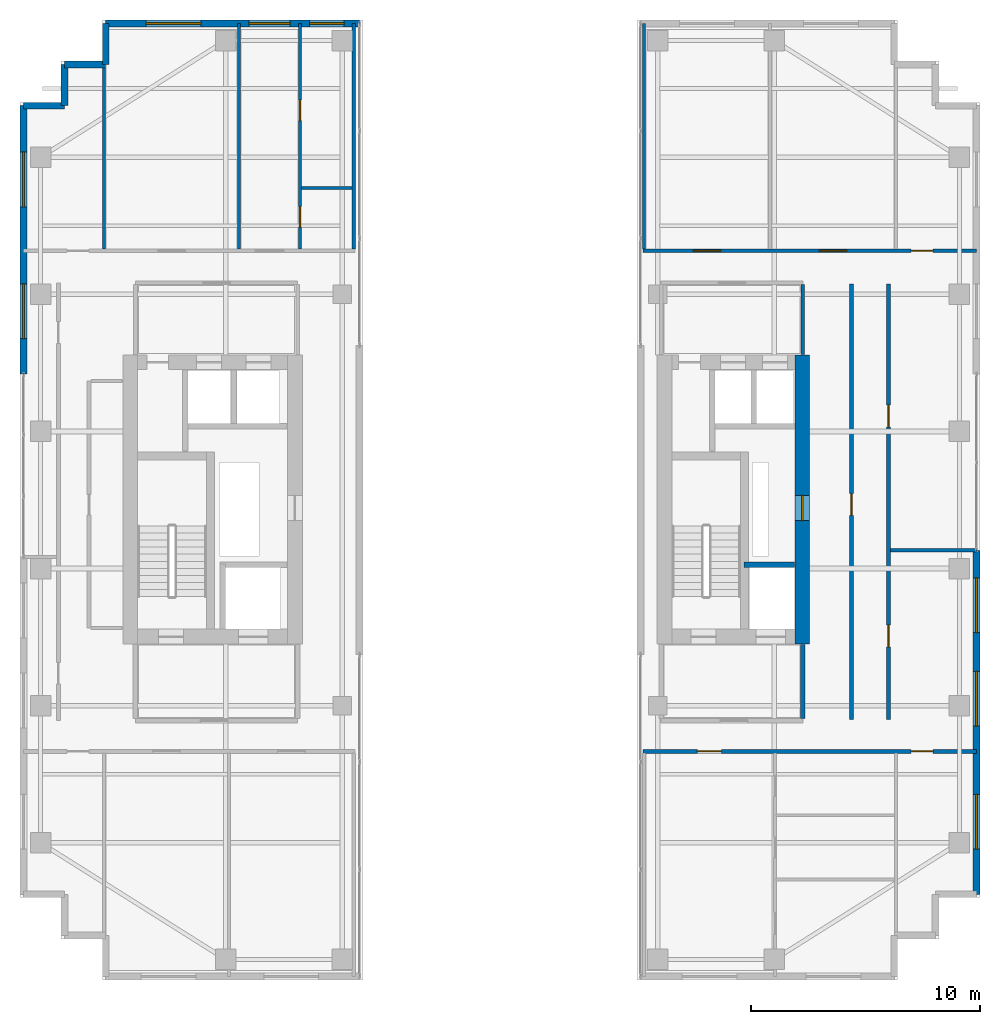
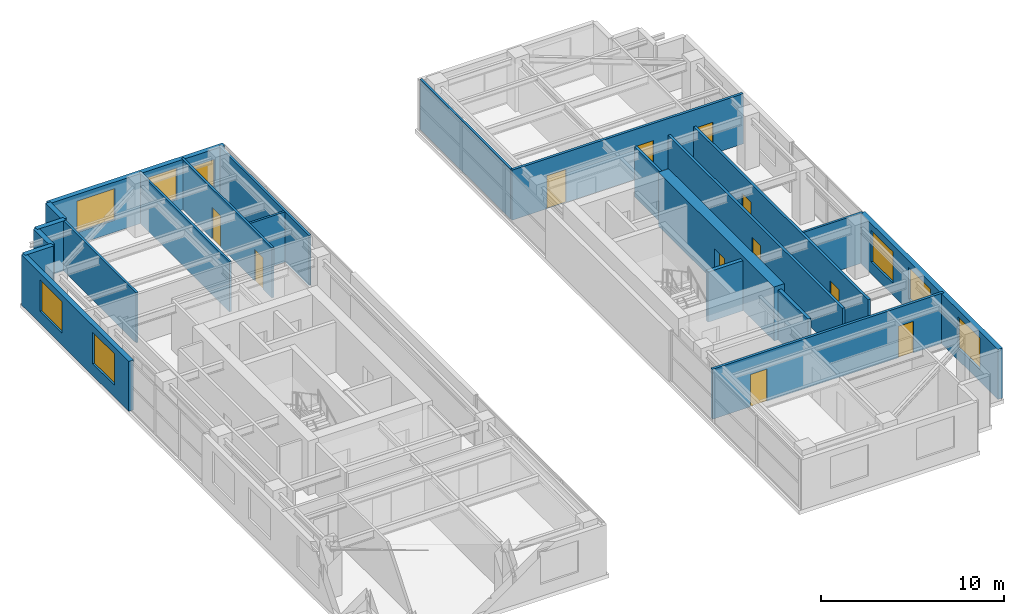
# One storey, part 19 of 22: 22 walls, 11 doors, 8 windows, 19 openings.
"""IFC4 building model written with IfcOpenShell, lengths in metres."""

import ifcopenshell
import ifcopenshell.guid

model = None  # the IFC model being written
_history = None  # IfcOwnerHistory: only IFC2X3 demands one
_inside = {}  # id of a spatial element -> (the spatial element, [elements in it])
_under = {}  # id of a project, library or spatial element -> (it, [spatial elements below it])
_declared = {}  # id of a project -> (the project, [libraries it declares])
_typed = {}  # id of a type object -> (the type object, [elements of that type])
_made_of = {}  # id of a material, layer set ... -> (it, [elements and type objects made of it])


def new_model(schema):
    """Start an empty IFC model of exactly this schema.

    Asked for "IFC4X3", IfcOpenShell would pick the latest addendum, in which some entities
    have other attributes; the version numbers below select the first issue.
    IFC2X3 requires an IfcOwnerHistory on every rooted entity: one is made here for all.
    """
    global model, _history
    if schema == "IFC4X3":
        model = ifcopenshell.file(schema_version=(4, 3, 0, 0))
    else:
        model = ifcopenshell.file(schema=schema)
    _inside.clear()
    _under.clear()
    _declared.clear()
    _typed.clear()
    _made_of.clear()
    _history = None
    if model.schema == "IFC2X3":
        org = make("IfcOrganization", Name="unknown")
        user = make(
            "IfcPersonAndOrganization",
            ThePerson=make("IfcPerson", FamilyName="unknown"),
            TheOrganization=org,
        )
        app = make(
            "IfcApplication",
            ApplicationDeveloper=org,
            Version="unknown",
            ApplicationFullName="unknown",
            ApplicationIdentifier="unknown",
        )
        _history = make(
            "IfcOwnerHistory",
            OwningUser=user,
            OwningApplication=app,
            ChangeAction="ADDED",
            CreationDate=0,
        )
    return model


def make(cls, **values):
    """One entity of the class cls with the attributes given. An attribute that is None is left unset."""
    return model.create_entity(
        cls, **{name: value for name, value in values.items() if value is not None}
    )


def rooted(cls, **values):
    """An entity with a GlobalId (a new one), such as an element, a storey or a relation."""
    return make(cls, GlobalId=ifcopenshell.guid.new(), OwnerHistory=_history, **values)


def si_unit(unit_type, name, prefix=None):
    """IfcSIUnit, for example si_unit("LENGTHUNIT", "METRE", prefix="MILLI")."""
    return make("IfcSIUnit", UnitType=unit_type, Prefix=prefix, Name=name)


def assignment(units):
    """IfcUnitAssignment: the units of a project."""
    return None if units is None else make("IfcUnitAssignment", Units=units)


def point(xyz):
    """IfcCartesianPoint."""
    return None if xyz is None else make("IfcCartesianPoint", Coordinates=xyz)


def direction(xyz):
    """IfcDirection."""
    return None if xyz is None else make("IfcDirection", DirectionRatios=xyz)


def frame(location, z_axis=None, x_axis=None):
    """IfcAxis2Placement3D, a coordinate frame: its origin and axes. An axis left out is left unset."""
    return make(
        "IfcAxis2Placement3D",
        Location=point(location),
        Axis=direction(z_axis),
        RefDirection=direction(x_axis),
    )


def frame_2d(location, x_axis=None):
    """IfcAxis2Placement2D, a coordinate frame in the plane: its origin and x axis."""
    return make(
        "IfcAxis2Placement2D", Location=point(location), RefDirection=direction(x_axis)
    )


def origin():
    """The frame at (0, 0, 0) with its axes left unset."""
    return frame((0.0, 0.0, 0.0))


def place(relative_to, where):
    """IfcLocalPlacement: puts the frame where relative to a parent placement (None: the world)."""
    return make(
        "IfcLocalPlacement", PlacementRelTo=relative_to, RelativePlacement=where
    )


def context(
    kind, dimensions, precision=None, world=None, true_north=None, identifier=None
):
    """IfcGeometricRepresentationContext, for example the 3D "Model" context."""
    return make(
        "IfcGeometricRepresentationContext",
        ContextIdentifier=identifier,
        ContextType=kind,
        CoordinateSpaceDimension=dimensions,
        Precision=precision,
        WorldCoordinateSystem=world,
        TrueNorth=true_north,
    )


def subcontext(parent, identifier, kind, view, scale=None):
    """IfcGeometricRepresentationSubContext, for example "Body" below "Model"."""
    return make(
        "IfcGeometricRepresentationSubContext",
        ContextIdentifier=identifier,
        ContextType=kind,
        ParentContext=parent,
        TargetScale=scale,
        TargetView=view,
    )


def project(units=None, contexts=None):
    """IfcProject with its units and contexts."""
    return rooted(
        "IfcProject",
        Name="project",
        RepresentationContexts=contexts,
        UnitsInContext=assignment(units),
    )


def spatial(cls, under=None, at=None, **own):
    """A site, building, storey or space (cls), placed at a placement, below another one or the project."""
    s = rooted(cls, ObjectPlacement=at, **own)
    if under is not None:
        _under.setdefault(under.id(), (under, []))[1].append(s)
    return s


def profile(cls, at=None, kind="AREA", **sizes):
    """A parametric profile (cls). Its sizes go by their IFC names, for example OverallWidth=200.0."""
    return make(cls, ProfileType=kind, Position=at, **sizes)


def rectangle(**sizes):
    """IfcRectangleProfileDef."""
    return profile("IfcRectangleProfileDef", **sizes)


def extrude(swept, where, along, depth):
    """IfcExtrudedAreaSolid: the profile swept, set in the frame where, extruded along a direction by depth."""
    return make(
        "IfcExtrudedAreaSolid",
        SweptArea=swept,
        Position=where,
        ExtrudedDirection=direction(along),
        Depth=depth,
    )


def shape(context_of_items, identifier, shape_type, items):
    """IfcShapeRepresentation: the items that make up one representation, for example the "Body"."""
    return make(
        "IfcShapeRepresentation",
        ContextOfItems=context_of_items,
        RepresentationIdentifier=identifier,
        RepresentationType=shape_type,
        Items=items,
    )


def source(mapping_origin, context_of_items, identifier, shape_type, items):
    """IfcRepresentationMap: a shape defined once, which mapped items show again and again."""
    return make(
        "IfcRepresentationMap",
        MappingOrigin=mapping_origin,
        MappedRepresentation=shape(context_of_items, identifier, shape_type, items),
    )


def transform(
    local_origin,
    x_axis=None,
    y_axis=None,
    z_axis=None,
    scale=None,
    scale2=None,
    scale3=None,
    uniform=True,
):
    """IfcCartesianTransformationOperator3D, or its non-uniform kind. x_axis, y_axis, z_axis: its Axis1, 2, 3."""
    if uniform:
        return make(
            "IfcCartesianTransformationOperator3D",
            Axis1=direction(x_axis),
            Axis2=direction(y_axis),
            LocalOrigin=point(local_origin),
            Scale=scale,
            Axis3=direction(z_axis),
        )
    return make(
        "IfcCartesianTransformationOperator3DnonUniform",
        Axis1=direction(x_axis),
        Axis2=direction(y_axis),
        LocalOrigin=point(local_origin),
        Scale=scale,
        Axis3=direction(z_axis),
        Scale2=scale2,
        Scale3=scale3,
    )


def mapped(mapping_source, mapping_target):
    """IfcMappedItem: shows the shape of a source again, moved by a transform."""
    return make(
        "IfcMappedItem", MappingSource=mapping_source, MappingTarget=mapping_target
    )


def material(Name=None, Category=None):
    """IfcMaterial."""
    return make("IfcMaterial", Name=Name, Category=Category)


def layer(
    of_material, thickness, ventilated=None, Name=None, Category=None, Priority=None
):
    """IfcMaterialLayer: one layer of a wall or slab, of a material (None: an air gap)."""
    return make(
        "IfcMaterialLayer",
        Material=of_material,
        LayerThickness=thickness,
        IsVentilated=ventilated,
        Name=Name,
        Category=Category,
        Priority=Priority,
    )


def layer_set(layers, Name=None):
    """IfcMaterialLayerSet."""
    return make("IfcMaterialLayerSet", MaterialLayers=layers, LayerSetName=Name)


def made_of(thing, what):
    """Note that an element or type object is made of a material, layer set ...; save() writes the relation."""
    if what is not None:
        _made_of.setdefault(what.id(), (what, []))[1].append(thing)
    return thing


def type_object(cls, material=None, **own):
    """A type object (cls), such as IfcWallType, which elements share."""
    return made_of(rooted(cls, **own), material)


def element(
    cls,
    number,
    at=None,
    inside=None,
    cuts=None,
    type_object=None,
    material=None,
    context=None,
    identifier="Body",
    shape_type=None,
    held_by="IfcProductDefinitionShape",
    body=None,
    shapes=None,
    **own,
):
    """One element of the class cls, such as IfcWall. Its Tag is "e" and its number.

    at: its placement. inside: the storey or other place that contains it. cuts: it is an
    opening in that element (IfcRelVoidsElement). A single representation is given by context,
    identifier, shape_type and body (its items); several are given by shapes. held_by: the class
    of the entity that holds the representations. save() writes the other relations.
    """
    e = rooted(cls, Tag="e%d" % number, ObjectPlacement=at, **own)
    if body is not None:
        shapes = [shape(context, identifier, shape_type, body)]
    if shapes is not None:
        e.Representation = make(held_by, Representations=shapes)
    if inside is not None:
        _inside.setdefault(inside.id(), (inside, []))[1].append(e)
    if cuts is not None:
        rooted(
            "IfcRelVoidsElement", RelatingBuildingElement=cuts, RelatedOpeningElement=e
        )
    if type_object is not None:
        _typed.setdefault(type_object.id(), (type_object, []))[1].append(e)
    return made_of(e, material)


def fill(opening, filler):
    """IfcRelFillsElement: the door or window that sits in an opening."""
    return rooted(
        "IfcRelFillsElement",
        RelatingOpeningElement=opening,
        RelatedBuildingElement=filler,
    )


def aggregate(whole, parts):
    """IfcRelAggregates: a whole, such as a stair, and the parts it consists of."""
    return rooted("IfcRelAggregates", RelatingObject=whole, RelatedObjects=parts)


def save(model, path):
    """Write the relations noted so far, then the file.

    IfcRelAggregates (storeys below a building ...), IfcRelContainedInSpatialStructure (elements
    in a storey), IfcRelDefinesByType, IfcRelAssociatesMaterial and IfcRelDeclares: one each for
    every whole, place, type object, material and project.
    """
    for whole, parts in _under.values():
        aggregate(whole, parts)
    for where, things in _inside.values():
        rooted(
            "IfcRelContainedInSpatialStructure",
            RelatedElements=things,
            RelatingStructure=where,
        )
    for kind, things in _typed.values():
        rooted("IfcRelDefinesByType", RelatedObjects=things, RelatingType=kind)
    for what, things in _made_of.values():
        rooted("IfcRelAssociatesMaterial", RelatedObjects=things, RelatingMaterial=what)
    for by, libraries in _declared.values():
        rooted("IfcRelDeclares", RelatingContext=by, RelatedDefinitions=libraries)
    model.write(path)


model = new_model("IFC4")

# Units and contexts
model_context = context("Model", 3, precision=1e-05, world=origin(), true_north=direction((0.0, 1.0)))
body_context = subcontext(model_context, "Body", "Model", "MODEL_VIEW")
ifc_project = project(units=[si_unit("LENGTHUNIT", "METRE"), si_unit("AREAUNIT", "SQUARE_METRE"), si_unit("VOLUMEUNIT", "CUBIC_METRE"), si_unit("PLANEANGLEUNIT", "RADIAN"), si_unit("MASSUNIT", "GRAM", prefix="KILO")], contexts=[model_context])

# Site, building, storey
site_placement = place(None, origin())
site = spatial("IfcSite", under=ifc_project, at=site_placement, CompositionType="ELEMENT")
building_placement = place(site_placement, origin())
building = spatial("IfcBuilding", under=site, at=building_placement, Name="Khoralis Quay Care Tower", CompositionType="ELEMENT")
storey_placement = place(building_placement, frame((0.0, 0.0, 184.5)))
storey = spatial("IfcBuildingStorey", under=building, at=storey_placement, Name="L48", CompositionType="ELEMENT", Elevation=184.5)

# Wall
ifc_material_1 = material(Name="Gypsum plasterboard on acoustic metal stud")
ifc_layer_1 = layer(ifc_material_1, 0.199951171875)
ifc_layer_set_1 = layer_set([ifc_layer_1], Name="Gypsum plasterboard on acoustic metal stud")
wall_type_1 = type_object("IfcWallType", Name="WL-COMP-200", PredefinedType="PARTITIONING", material=ifc_layer_set_1)
wall_1_placement = place(storey_placement, frame((37.25, 11.445068359375, 0.0), z_axis=(0.0, 0.0, 1.0), x_axis=(0.0, 1.0, 0.0)))
element("IfcWall", 1, at=wall_1_placement, inside=storey, type_object=wall_type_1, Name="L48 East Firefighting Lobby East Wall", PredefinedType="PARTITIONING", context=body_context, shape_type="SweptSolid", body=[
    extrude(rectangle(XDim=3.23486328125, YDim=0.199951171875, at=frame_2d((1.617431640625, 0.0))), origin(), (0.0, 0.0, 1.0), 3.340087890625),
])

# Wall, opening, door
ifc_material_2 = material(Name="Concrete C65/80", Category="concrete")
ifc_layer_2 = layer(ifc_material_2, 0.64990234375)
ifc_layer_set_2 = layer_set([ifc_layer_2], Name="Concrete C65/80")
wall_type_2 = type_object("IfcWallType", Name="WL-CORE-650", PredefinedType="SHEAR", material=ifc_layer_set_2)
wall_2_placement = place(storey_placement, frame((37.22509765625, 14.699951171875, 0.0), z_axis=(0.0, 0.0, 1.0), x_axis=(0.0, 1.0, 0.0)))
wall_2 = element("IfcWall", 2, at=wall_2_placement, inside=storey, type_object=wall_type_2, Name="L48 ECORE East Shear Wall", PredefinedType="SHEAR", context=body_context, shape_type="SweptSolid", body=[
    extrude(rectangle(XDim=12.650146484375, YDim=0.64990234375, at=frame_2d((6.3251953125, 0.0))), origin(), (0.0, 0.0, 1.0), 3.60009765625),
])
opening_1_placement = place(wall_2_placement, frame((5.39990234375, 0.0, 0.0)))
opening_1 = element("IfcOpeningElement", 3, at=opening_1_placement, cuts=wall_2, Name="Opening SD1", PredefinedType="OPENING", context=body_context, shape_type="SweptSolid", body=[
    extrude(rectangle(XDim=1.10009765625, YDim=2.199951171875, at=frame_2d((0.550048828125, 1.10009765625))), frame((0.0, 0.3349609375, 0.0), z_axis=(0.0, -1.0, 0.0), x_axis=(1.0, 0.0, 0.0)), (0.0, 0.0, 1.0), 0.669921875),
])
ifc_material_3 = material(Name="Fire-rated painted steel", Category="steel")
door_type_1 = type_object("IfcDoorType", Name="DR-STAIR-1100X2200", OperationType="NOTDEFINED", PredefinedType="DOOR", material=ifc_material_3)
shared_shape_1 = source(origin(), body_context, "Body", "SweptSolid", [
    extrude(rectangle(XDim=1.10009765625, YDim=2.199951171875, at=frame_2d((0.550048828125, 1.10009765625))), frame((0.0, 0.02490234375, 0.0), z_axis=(0.0, -1.0, 0.0), x_axis=(1.0, 0.0, 0.0)), (0.0, 0.0, 1.0), 0.050048828125),
])
door_1_placement = place(opening_1_placement, frame((1.10009765625, 0.0, 0.0), z_axis=(0.0, 0.0, 1.0), x_axis=(-1.0, 0.0, 0.0)))
door_1 = element("IfcDoor", 4, at=door_1_placement, inside=storey, type_object=door_type_1, Name="L48 East MEP Riser Door", OperationType="SINGLE_SWING_LEFT", OverallHeight=2.199951171875, OverallWidth=1.10009765625, PredefinedType="DOOR", context=body_context, shape_type="MappedRepresentation", body=[
    mapped(shared_shape_1, transform((0.0, 0.0, 0.0), scale=1.0)),
])
fill(opening_1, door_1)

# Wall
ifc_layer_3 = layer(ifc_material_1, 0.1650390625)
ifc_layer_set_3 = layer_set([ifc_layer_3], Name="Gypsum plasterboard on acoustic metal stud")
wall_type_3 = type_object("IfcWallType", Name="WL-CORR-165", PredefinedType="PARTITIONING", material=ifc_layer_set_3)
wall_3_placement = place(storey_placement, frame((37.25, 27.3701171875, 0.0), z_axis=(0.0, 0.0, 1.0), x_axis=(0.0, 1.0, 0.0)))
element("IfcWall", 5, at=wall_3_placement, inside=storey, type_object=wall_type_3, Name="L48 East Lift Lobby East Wall", PredefinedType="PARTITIONING", context=body_context, shape_type="SweptSolid", body=[
    extrude(rectangle(XDim=3.052490234375, YDim=0.1650390625, at=frame_2d((1.5263671875, 0.0))), origin(), (0.0, 0.0, 1.0), 3.340087890625),
])

# Wall, openings, doors
wall_4_placement = place(storey_placement, frame((30.25, 10.0, 0.0), z_axis=(0.0, 0.0, 1.0), x_axis=(1.0, 0.0, 0.0)))
wall_4 = element("IfcWall", 6, at=wall_4_placement, inside=storey, type_object=wall_type_3, Name="L48 East Wing South Corridor Wall", PredefinedType="PARTITIONING", context=body_context, shape_type="SweptSolid", body=[
    extrude(rectangle(XDim=14.60498046875, YDim=0.1650390625, at=frame_2d((7.302490234375, 0.0))), origin(), (0.0, 0.0, 1.0), 3.340087890625),
])
opening_2_placement = place(wall_4_placement, frame((2.389892578125, 0.0, 0.0)))
opening_2 = element("IfcOpeningElement", 7, at=opening_2_placement, cuts=wall_4, Name="Opening UD1", PredefinedType="OPENING", context=body_context, shape_type="SweptSolid", body=[
    extrude(rectangle(XDim=1.050048828125, YDim=2.14990234375, at=frame_2d((0.52490234375, 1.074951171875))), frame((0.0, 0.092529296875, 0.0), z_axis=(0.0, -1.0, 0.0), x_axis=(1.0, 0.0, 0.0)), (0.0, 0.0, 1.0), 0.18505859375),
])
opening_3_placement = place(wall_4_placement, frame((11.735107421875, 0.0, 0.0)))
opening_3 = element("IfcOpeningElement", 8, at=opening_3_placement, cuts=wall_4, Name="Opening ID1", PredefinedType="OPENING", context=body_context, shape_type="SweptSolid", body=[
    extrude(rectangle(XDim=0.949951171875, YDim=2.10009765625, at=frame_2d((0.47509765625, 1.050048828125))), frame((0.0, 0.092529296875, 0.0), z_axis=(0.0, -1.0, 0.0), x_axis=(1.0, 0.0, 0.0)), (0.0, 0.0, 1.0), 0.18505859375),
])
ifc_material_4 = material(Name="Acoustic hardwood timber", Category="wood")
door_type_2 = type_object("IfcDoorType", Name="DR-ROOM-950X2100", OperationType="NOTDEFINED", PredefinedType="DOOR", material=ifc_material_4)
shared_shape_2 = source(origin(), body_context, "Body", "SweptSolid", [
    extrude(rectangle(XDim=0.949951171875, YDim=2.10009765625, at=frame_2d((0.47509765625, 1.050048828125))), frame((0.0, 0.02490234375, 0.0), z_axis=(0.0, -1.0, 0.0), x_axis=(1.0, 0.0, 0.0)), (0.0, 0.0, 1.0), 0.050048828125),
])
door_2_placement = place(opening_3_placement, frame((0.949951171875, 0.0, 0.0), z_axis=(0.0, 0.0, 1.0), x_axis=(-1.0, 0.0, 0.0)))
door_2 = element("IfcDoor", 9, at=door_2_placement, inside=storey, type_object=door_type_2, Name="L48 SE Corner Door", OperationType="SINGLE_SWING_RIGHT", OverallHeight=2.10009765625, OverallWidth=0.949951171875, PredefinedType="DOOR", context=body_context, shape_type="MappedRepresentation", body=[
    mapped(shared_shape_2, transform((0.0, 0.0, 0.0), scale=1.0)),
])
fill(opening_3, door_2)
door_type_3 = type_object("IfcDoorType", Name="DR-SUITE-1050X2150", OperationType="NOTDEFINED", PredefinedType="DOOR", material=ifc_material_4)
shared_shape_3 = source(origin(), body_context, "Body", "SweptSolid", [
    extrude(rectangle(XDim=1.050048828125, YDim=2.14990234375, at=frame_2d((0.52490234375, 1.074951171875))), frame((0.0, 0.02490234375, 0.0), z_axis=(0.0, -1.0, 0.0), x_axis=(1.0, 0.0, 0.0)), (0.0, 0.0, 1.0), 0.050048828125),
])
door_3_placement = place(opening_2_placement, frame((1.050048828125, 0.0, 0.0), z_axis=(0.0, 0.0, 1.0), x_axis=(-1.0, 0.0, 0.0)))
door_3 = element("IfcDoor", 10, at=door_3_placement, inside=storey, type_object=door_type_3, Name="L48 Apartment ES0 Entrance Door", OperationType="SINGLE_SWING_LEFT", OverallHeight=2.14990234375, OverallWidth=1.050048828125, PredefinedType="DOOR", context=body_context, shape_type="MappedRepresentation", body=[
    mapped(shared_shape_3, transform((0.0, 0.0, 0.0), scale=1.0)),
])
fill(opening_2, door_3)

wall_5_placement = place(storey_placement, frame((30.25, 31.89990234375, 0.0), z_axis=(0.0, 0.0, 1.0), x_axis=(1.0, 0.0, 0.0)))
wall_5 = element("IfcWall", 11, at=wall_5_placement, inside=storey, type_object=wall_type_3, Name="L48 East Wing North Corridor Wall", PredefinedType="PARTITIONING", context=body_context, shape_type="SweptSolid", body=[
    extrude(rectangle(XDim=14.60498046875, YDim=0.1650390625, at=frame_2d((7.302490234375, 0.0))), origin(), (0.0, 0.0, 1.0), 3.340087890625),
])
opening_4_placement = place(wall_5_placement, frame((2.205078125, 0.0, 0.0)))
opening_4 = element("IfcOpeningElement", 12, at=opening_4_placement, cuts=wall_5, Name="Opening FD1", PredefinedType="OPENING", context=body_context, shape_type="SweptSolid", body=[
    extrude(rectangle(XDim=1.199951171875, YDim=2.199951171875, at=frame_2d((0.60009765625, 1.10009765625))), frame((0.0, 0.092529296875, 0.0), z_axis=(0.0, -1.0, 0.0), x_axis=(1.0, 0.0, 0.0)), (0.0, 0.0, 1.0), 0.18505859375),
])
opening_5_placement = place(wall_5_placement, frame((7.715087890625, 0.0, 0.0)))
opening_5 = element("IfcOpeningElement", 13, at=opening_5_placement, cuts=wall_5, Name="Opening FD1", PredefinedType="OPENING", context=body_context, shape_type="SweptSolid", body=[
    extrude(rectangle(XDim=1.199951171875, YDim=2.199951171875, at=frame_2d((0.60009765625, 1.10009765625))), frame((0.0, 0.092529296875, 0.0), z_axis=(0.0, -1.0, 0.0), x_axis=(1.0, 0.0, 0.0)), (0.0, 0.0, 1.0), 0.18505859375),
])
opening_6_placement = place(wall_5_placement, frame((11.735107421875, 0.0, 0.0)))
opening_6 = element("IfcOpeningElement", 14, at=opening_6_placement, cuts=wall_5, Name="Opening ID1", PredefinedType="OPENING", context=body_context, shape_type="SweptSolid", body=[
    extrude(rectangle(XDim=0.949951171875, YDim=2.10009765625, at=frame_2d((0.47509765625, 1.050048828125))), frame((0.0, 0.092529296875, 0.0), z_axis=(0.0, -1.0, 0.0), x_axis=(1.0, 0.0, 0.0)), (0.0, 0.0, 1.0), 0.18505859375),
])
door_type_4 = type_object("IfcDoorType", Name="DR-FFL-1200X2200", OperationType="NOTDEFINED", PredefinedType="DOOR", material=ifc_material_3)
shared_shape_4 = source(origin(), body_context, "Body", "SweptSolid", [
    extrude(rectangle(XDim=1.199951171875, YDim=2.199951171875, at=frame_2d((0.60009765625, 1.10009765625))), frame((0.0, 0.02490234375, 0.0), z_axis=(0.0, -1.0, 0.0), x_axis=(1.0, 0.0, 0.0)), (0.0, 0.0, 1.0), 0.050048828125),
])
door_4_placement = place(opening_4_placement, origin())
door_4 = element("IfcDoor", 15, at=door_4_placement, inside=storey, type_object=door_type_4, Name="L48 Resident Communal Day Lounge Door", OperationType="DOUBLE_DOOR_SINGLE_SWING", OverallHeight=2.199951171875, OverallWidth=1.199951171875, PredefinedType="DOOR", context=body_context, shape_type="MappedRepresentation", body=[
    mapped(shared_shape_4, transform((0.0, 0.0, 0.0), scale=1.0)),
])
fill(opening_4, door_4)
door_5_placement = place(opening_5_placement, origin())
door_5 = element("IfcDoor", 16, at=door_5_placement, inside=storey, type_object=door_type_4, Name="L48 Resident Communal Day Lounge Door", OperationType="DOUBLE_DOOR_SINGLE_SWING", OverallHeight=2.199951171875, OverallWidth=1.199951171875, PredefinedType="DOOR", context=body_context, shape_type="MappedRepresentation", body=[
    mapped(shared_shape_4, transform((0.0, 0.0, 0.0), scale=1.0)),
])
fill(opening_5, door_5)
door_6_placement = place(opening_6_placement, origin())
door_6 = element("IfcDoor", 17, at=door_6_placement, inside=storey, type_object=door_type_2, Name="L48 NE Corner Door", OperationType="SINGLE_SWING_LEFT", OverallHeight=2.10009765625, OverallWidth=0.949951171875, PredefinedType="DOOR", context=body_context, shape_type="MappedRepresentation", body=[
    mapped(shared_shape_2, transform((0.0, 0.0, 0.0), scale=1.0)),
])
fill(opening_6, door_6)

wall_6_placement = place(storey_placement, frame((41.0, 11.39990234375, 0.0), z_axis=(0.0, 0.0, 1.0), x_axis=(0.0, 1.0, 0.0)))
wall_6 = element("IfcWall", 18, at=wall_6_placement, inside=storey, type_object=wall_type_3, Name="L48 East Gallery Wall", PredefinedType="PARTITIONING", context=body_context, shape_type="SweptSolid", body=[
    extrude(rectangle(XDim=19.050048828125, YDim=0.1650390625, at=frame_2d((9.52490234375, 0.0))), origin(), (0.0, 0.0, 1.0), 3.340087890625),
])
opening_7_placement = place(wall_6_placement, frame((3.175048828125, 0.0, 0.0)))
opening_7 = element("IfcOpeningElement", 19, at=opening_7_placement, cuts=wall_6, Name="Opening ID1", PredefinedType="OPENING", context=body_context, shape_type="SweptSolid", body=[
    extrude(rectangle(XDim=0.949951171875, YDim=2.10009765625, at=frame_2d((0.47509765625, 1.050048828125))), frame((0.0, 0.092529296875, 0.0), z_axis=(0.0, -1.0, 0.0), x_axis=(1.0, 0.0, 0.0)), (0.0, 0.0, 1.0), 0.18505859375),
])
opening_8_placement = place(wall_6_placement, frame((12.800048828125, 0.0, 0.0)))
opening_8 = element("IfcOpeningElement", 20, at=opening_8_placement, cuts=wall_6, Name="Opening ID1", PredefinedType="OPENING", context=body_context, shape_type="SweptSolid", body=[
    extrude(rectangle(XDim=0.949951171875, YDim=2.10009765625, at=frame_2d((0.47509765625, 1.050048828125))), frame((0.0, 0.092529296875, 0.0), z_axis=(0.0, -1.0, 0.0), x_axis=(1.0, 0.0, 0.0)), (0.0, 0.0, 1.0), 0.18505859375),
])
door_7_placement = place(opening_7_placement, origin())
door_7 = element("IfcDoor", 21, at=door_7_placement, inside=storey, type_object=door_type_2, Name="L48 East Waterfront Rehab Clinic Door", OperationType="SINGLE_SWING_LEFT", OverallHeight=2.10009765625, OverallWidth=0.949951171875, PredefinedType="DOOR", context=body_context, shape_type="MappedRepresentation", body=[
    mapped(shared_shape_2, transform((0.0, 0.0, 0.0), scale=1.0)),
])
fill(opening_7, door_7)
door_8_placement = place(opening_8_placement, origin())
door_8 = element("IfcDoor", 22, at=door_8_placement, inside=storey, type_object=door_type_2, Name="L48 East Bay Communal Dining Room Door", OperationType="SINGLE_SWING_RIGHT", OverallHeight=2.10009765625, OverallWidth=0.949951171875, PredefinedType="DOOR", context=body_context, shape_type="MappedRepresentation", body=[
    mapped(shared_shape_2, transform((0.0, 0.0, 0.0), scale=1.0)),
])
fill(opening_8, door_8)

# Wall, opening, door
wall_7_placement = place(storey_placement, frame((39.3798828125, 11.39990234375, 0.0), z_axis=(0.0, 0.0, 1.0), x_axis=(0.0, 1.0, 0.0)))
wall_7 = element("IfcWall", 23, at=wall_7_placement, inside=storey, type_object=wall_type_3, Name="L48 East Inner Clinic Wall", PredefinedType="PARTITIONING", context=body_context, shape_type="SweptSolid", body=[
    extrude(rectangle(XDim=19.050048828125, YDim=0.1650390625, at=frame_2d((9.52490234375, 0.0))), origin(), (0.0, 0.0, 1.0), 3.340087890625),
])
opening_9_placement = place(wall_7_placement, frame((8.925048828125, 0.0, 0.0)))
opening_9 = element("IfcOpeningElement", 24, at=opening_9_placement, cuts=wall_7, Name="Opening ID1", PredefinedType="OPENING", context=body_context, shape_type="SweptSolid", body=[
    extrude(rectangle(XDim=0.949951171875, YDim=2.10009765625, at=frame_2d((0.47509765625, 1.050048828125))), frame((0.0, 0.092529296875, 0.0), z_axis=(0.0, -1.0, 0.0), x_axis=(1.0, 0.0, 0.0)), (0.0, 0.0, 1.0), 0.18505859375),
])
door_9_placement = place(opening_9_placement, frame((0.949951171875, 0.0, 0.0), z_axis=(0.0, 0.0, 1.0), x_axis=(-1.0, 0.0, 0.0)))
door_9 = element("IfcDoor", 25, at=door_9_placement, inside=storey, type_object=door_type_2, Name="L48 East Rehab Therapy Door", OperationType="SINGLE_SWING_LEFT", OverallHeight=2.10009765625, OverallWidth=0.949951171875, PredefinedType="DOOR", context=body_context, shape_type="MappedRepresentation", body=[
    mapped(shared_shape_2, transform((0.0, 0.0, 0.0), scale=1.0)),
])
fill(opening_9, door_9)

# Wall, openings, windows
ifc_material_5 = material(Name="Precast concrete C45/55", Category="concrete")
ifc_layer_4 = layer(ifc_material_5, 0.300048828125)
ifc_layer_set_4 = layer_set([ifc_layer_4], Name="Precast concrete C45/55")
wall_type_4 = type_object("IfcWallType", Name="WL-EXT-REF-300", PredefinedType="SOLIDWALL", material=ifc_layer_set_4)
wall_8_placement = place(storey_placement, frame((17.85009765625, 41.85009765625, 0.0), z_axis=(0.0, 0.0, 1.0), x_axis=(-1.0, 0.0, 0.0)))
wall_8 = element("IfcWall", 26, at=wall_8_placement, inside=storey, type_object=wall_type_4, Name="L48 External Facade Wall WL-EXT-L48-P1-E2", PredefinedType="SOLIDWALL", context=body_context, shape_type="SweptSolid", body=[
    extrude(rectangle(XDim=11.10009765625, YDim=0.300048828125, at=frame_2d((5.550048828125, 0.0))), origin(), (0.0, 0.0, 1.0), 3.340087890625),
])
opening_10_placement = place(wall_8_placement, frame((0.675048828125, 0.0, 0.85009765625)))
opening_10 = element("IfcOpeningElement", 27, at=opening_10_placement, cuts=wall_8, Name="Opening W3", PredefinedType="OPENING", context=body_context, shape_type="SweptSolid", body=[
    extrude(rectangle(XDim=1.5, YDim=1.800048828125, at=frame_2d((0.75, 0.89990234375))), frame((0.0, 0.16015625, 0.0), z_axis=(0.0, -1.0, 0.0), x_axis=(1.0, 0.0, 0.0)), (0.0, 0.0, 1.0), 0.320068359375),
])
opening_11_placement = place(wall_8_placement, frame((3.034912109375, 0.0, 0.800048828125)))
opening_11 = element("IfcOpeningElement", 28, at=opening_11_placement, cuts=wall_8, Name="Opening W2", PredefinedType="OPENING", context=body_context, shape_type="SweptSolid", body=[
    extrude(rectangle(XDim=1.800048828125, YDim=2.10009765625, at=frame_2d((0.89990234375, 1.050048828125))), frame((0.0, 0.16015625, 0.0), z_axis=(0.0, -1.0, 0.0), x_axis=(1.0, 0.0, 0.0)), (0.0, 0.0, 1.0), 0.320068359375),
])
opening_12_placement = place(wall_8_placement, frame((6.93505859375, 0.0, 0.800048828125)))
opening_12 = element("IfcOpeningElement", 29, at=opening_12_placement, cuts=wall_8, Name="Opening W1", PredefinedType="OPENING", context=body_context, shape_type="SweptSolid", body=[
    extrude(rectangle(XDim=2.39990234375, YDim=2.10009765625, at=frame_2d((1.199951171875, 1.050048828125))), frame((0.0, 0.16015625, 0.0), z_axis=(0.0, -1.0, 0.0), x_axis=(1.0, 0.0, 0.0)), (0.0, 0.0, 1.0), 0.320068359375),
])
ifc_material_6 = material(Name="Low-E solar-control double glazing", Category="glass")
window_type_1 = type_object("IfcWindowType", Name="WN-CLIN-1500X1800", PartitioningType="SINGLE_PANEL", PredefinedType="WINDOW", material=ifc_material_6)
shared_shape_5 = source(origin(), body_context, "Body", "SweptSolid", [
    extrude(rectangle(XDim=1.5, YDim=1.800048828125, at=frame_2d((0.75, 0.89990234375))), frame((0.0, 0.030029296875, 0.0), z_axis=(0.0, -1.0, 0.0), x_axis=(1.0, 0.0, 0.0)), (0.0, 0.0, 1.0), 0.06005859375),
])
window_1_placement = place(opening_10_placement, origin())
window_1 = element("IfcWindow", 30, at=window_1_placement, inside=storey, type_object=window_type_1, Name="WN-L48-P1-E2 Facade Window 01", OverallHeight=1.800048828125, OverallWidth=1.5, PartitioningType="SINGLE_PANEL", PredefinedType="WINDOW", context=body_context, shape_type="MappedRepresentation", body=[
    mapped(shared_shape_5, transform((0.0, 0.0, 0.0), scale=1.0)),
])
fill(opening_10, window_1)
window_type_2 = type_object("IfcWindowType", Name="WN-POD-2400X2100", PartitioningType="SINGLE_PANEL", PredefinedType="WINDOW", material=ifc_material_6)
shared_shape_6 = source(origin(), body_context, "Body", "SweptSolid", [
    extrude(rectangle(XDim=2.39990234375, YDim=2.10009765625, at=frame_2d((1.199951171875, 1.050048828125))), frame((0.0, 0.030029296875, 0.0), z_axis=(0.0, -1.0, 0.0), x_axis=(1.0, 0.0, 0.0)), (0.0, 0.0, 1.0), 0.06005859375),
])
window_2_placement = place(opening_12_placement, origin())
window_2 = element("IfcWindow", 31, at=window_2_placement, inside=storey, type_object=window_type_2, Name="WN-L48-P1-E2 Facade Window 03", OverallHeight=2.10009765625, OverallWidth=2.39990234375, PartitioningType="SINGLE_PANEL", PredefinedType="WINDOW", context=body_context, shape_type="MappedRepresentation", body=[
    mapped(shared_shape_6, transform((0.0, 0.0, 0.0), scale=1.0)),
])
fill(opening_12, window_2)
window_type_3 = type_object("IfcWindowType", Name="WN-POD-1800X2100", PartitioningType="SINGLE_PANEL", PredefinedType="WINDOW", material=ifc_material_6)
shared_shape_7 = source(origin(), body_context, "Body", "SweptSolid", [
    extrude(rectangle(XDim=1.800048828125, YDim=2.10009765625, at=frame_2d((0.89990234375, 1.050048828125))), frame((0.0, 0.030029296875, 0.0), z_axis=(0.0, -1.0, 0.0), x_axis=(1.0, 0.0, 0.0)), (0.0, 0.0, 1.0), 0.06005859375),
])
window_3_placement = place(opening_11_placement, origin())
window_3 = element("IfcWindow", 32, at=window_3_placement, inside=storey, type_object=window_type_3, Name="WN-L48-P1-E2 Facade Window 02", OverallHeight=2.10009765625, OverallWidth=1.800048828125, PartitioningType="SINGLE_PANEL", PredefinedType="WINDOW", context=body_context, shape_type="MappedRepresentation", body=[
    mapped(shared_shape_7, transform((0.0, 0.0, 0.0), scale=1.0)),
])
fill(opening_11, window_3)

# Walls
for number, where, z_axis, x_axis, name in (
    (33, (6.75, 41.85009765625, 0.0), (0.0, 0.0, 1.0), (0.0, -1.0, 0.0), "L48 External Facade Wall WL-EXT-L48-P1-C3"),
    (34, (6.75, 40.050048828125, 0.0), (0.0, 0.0, 1.0), (-1.0, 0.0, 0.0), "L48 External Facade Wall WL-EXT-L48-P1-C4"),
    (35, (4.949951171875, 40.050048828125, 0.0), (0.0, 0.0, 1.0), (0.0, -1.0, 0.0), "L48 External Facade Wall WL-EXT-L48-P1-C5"),
    (36, (4.949951171875, 38.25, 0.0), (0.0, 0.0, 1.0), (-1.0, 0.0, 0.0), "L48 External Facade Wall WL-EXT-L48-P1-C6"),
):
    element("IfcWall", number, at=place(storey_placement, frame(where, z_axis=z_axis, x_axis=x_axis)), inside=storey, type_object=wall_type_4, Name=name, PredefinedType="SOLIDWALL", context=body_context, shape_type="SweptSolid", body=[
        extrude(rectangle(XDim=1.800048828125, YDim=0.300048828125, at=frame_2d((0.89990234375, 0.0))), origin(), (0.0, 0.0, 1.0), 3.340087890625),
    ])

# Wall, openings, windows
wall_9_placement = place(storey_placement, frame((3.14990234375, 38.25, 0.0), z_axis=(0.0, 0.0, 1.0), x_axis=(0.0, -1.0, 0.0)))
wall_9 = element("IfcWall", 37, at=wall_9_placement, inside=storey, type_object=wall_type_4, Name="L48 External Facade Wall WL-EXT-L48-P1-E7A", PredefinedType="SOLIDWALL", context=body_context, shape_type="SweptSolid", body=[
    extrude(rectangle(XDim=11.72998046875, YDim=0.300048828125, at=frame_2d((5.864990234375, 0.0))), origin(), (0.0, 0.0, 1.0), 3.340087890625),
])
opening_13_placement = place(wall_9_placement, frame((2.02490234375, 0.0, 0.800048828125)))
opening_13 = element("IfcOpeningElement", 38, at=opening_13_placement, cuts=wall_9, Name="Opening W1", PredefinedType="OPENING", context=body_context, shape_type="SweptSolid", body=[
    extrude(rectangle(XDim=2.39990234375, YDim=2.10009765625, at=frame_2d((1.199951171875, 1.050048828125))), frame((0.0, 0.16015625, 0.0), z_axis=(0.0, -1.0, 0.0), x_axis=(1.0, 0.0, 0.0)), (0.0, 0.0, 1.0), 0.320068359375),
])
opening_14_placement = place(wall_9_placement, frame((7.7900390625, 0.0, 0.800048828125)))
opening_14 = element("IfcOpeningElement", 39, at=opening_14_placement, cuts=wall_9, Name="Opening W1", PredefinedType="OPENING", context=body_context, shape_type="SweptSolid", body=[
    extrude(rectangle(XDim=2.39990234375, YDim=2.10009765625, at=frame_2d((1.199951171875, 1.050048828125))), frame((0.0, 0.16015625, 0.0), z_axis=(0.0, -1.0, 0.0), x_axis=(1.0, 0.0, 0.0)), (0.0, 0.0, 1.0), 0.320068359375),
])
window_4_placement = place(opening_13_placement, origin())
window_4 = element("IfcWindow", 40, at=window_4_placement, inside=storey, type_object=window_type_2, Name="WN-L48-P1-E7A Facade Window 01", OverallHeight=2.10009765625, OverallWidth=2.39990234375, PartitioningType="SINGLE_PANEL", PredefinedType="WINDOW", context=body_context, shape_type="MappedRepresentation", body=[
    mapped(shared_shape_6, transform((0.0, 0.0, 0.0), scale=1.0)),
])
fill(opening_13, window_4)
window_5_placement = place(opening_14_placement, origin())
window_5 = element("IfcWindow", 41, at=window_5_placement, inside=storey, type_object=window_type_2, Name="WN-L48-P1-E7A Facade Window 02", OverallHeight=2.10009765625, OverallWidth=2.39990234375, PartitioningType="SINGLE_PANEL", PredefinedType="WINDOW", context=body_context, shape_type="MappedRepresentation", body=[
    mapped(shared_shape_6, transform((0.0, 0.0, 0.0), scale=1.0)),
])
fill(opening_14, window_5)

wall_10_placement = place(storey_placement, frame((44.85009765625, 3.75, 0.0), z_axis=(0.0, 0.0, 1.0), x_axis=(0.0, 1.0, 0.0)))
wall_10 = element("IfcWall", 42, at=wall_10_placement, inside=storey, type_object=wall_type_4, Name="L48 External Facade Wall WL-EXT-L48-P2-E5A", PredefinedType="SOLIDWALL", context=body_context, shape_type="SweptSolid", body=[
    extrude(rectangle(XDim=15.050048828125, YDim=0.300048828125, at=frame_2d((7.52490234375, 0.0))), origin(), (0.0, 0.0, 1.0), 3.340087890625),
])
opening_15_placement = place(wall_10_placement, frame((1.97509765625, 0.0, 0.800048828125)))
opening_15 = element("IfcOpeningElement", 43, at=opening_15_placement, cuts=wall_10, Name="Opening W1", PredefinedType="OPENING", context=body_context, shape_type="SweptSolid", body=[
    extrude(rectangle(XDim=2.39990234375, YDim=2.10009765625, at=frame_2d((1.199951171875, 1.050048828125))), frame((0.0, 0.16015625, 0.0), z_axis=(0.0, -1.0, 0.0), x_axis=(1.0, 0.0, 0.0)), (0.0, 0.0, 1.0), 0.320068359375),
])
opening_16_placement = place(wall_10_placement, frame((7.35498046875, 0.0, 0.800048828125)))
opening_16 = element("IfcOpeningElement", 44, at=opening_16_placement, cuts=wall_10, Name="Opening W1", PredefinedType="OPENING", context=body_context, shape_type="SweptSolid", body=[
    extrude(rectangle(XDim=2.39990234375, YDim=2.10009765625, at=frame_2d((1.199951171875, 1.050048828125))), frame((0.0, 0.16015625, 0.0), z_axis=(0.0, -1.0, 0.0), x_axis=(1.0, 0.0, 0.0)), (0.0, 0.0, 1.0), 0.320068359375),
])
opening_17_placement = place(wall_10_placement, frame((11.445068359375, 0.0, 0.800048828125)))
opening_17 = element("IfcOpeningElement", 45, at=opening_17_placement, cuts=wall_10, Name="Opening W1", PredefinedType="OPENING", context=body_context, shape_type="SweptSolid", body=[
    extrude(rectangle(XDim=2.39990234375, YDim=2.10009765625, at=frame_2d((1.199951171875, 1.050048828125))), frame((0.0, 0.16015625, 0.0), z_axis=(0.0, -1.0, 0.0), x_axis=(1.0, 0.0, 0.0)), (0.0, 0.0, 1.0), 0.320068359375),
])
window_6_placement = place(opening_15_placement, origin())
window_6 = element("IfcWindow", 46, at=window_6_placement, inside=storey, type_object=window_type_2, Name="WN-L48-P2-E5A Facade Window 01", OverallHeight=2.10009765625, OverallWidth=2.39990234375, PartitioningType="SINGLE_PANEL", PredefinedType="WINDOW", context=body_context, shape_type="MappedRepresentation", body=[
    mapped(shared_shape_6, transform((0.0, 0.0, 0.0), scale=1.0)),
])
fill(opening_15, window_6)
window_7_placement = place(opening_16_placement, origin())
window_7 = element("IfcWindow", 47, at=window_7_placement, inside=storey, type_object=window_type_2, Name="WN-L48-P2-E5A Facade Window 02", OverallHeight=2.10009765625, OverallWidth=2.39990234375, PartitioningType="SINGLE_PANEL", PredefinedType="WINDOW", context=body_context, shape_type="MappedRepresentation", body=[
    mapped(shared_shape_6, transform((0.0, 0.0, 0.0), scale=1.0)),
])
fill(opening_16, window_7)
window_8_placement = place(opening_17_placement, origin())
window_8 = element("IfcWindow", 48, at=window_8_placement, inside=storey, type_object=window_type_2, Name="WN-L48-P2-E5A Facade Window 03", OverallHeight=2.10009765625, OverallWidth=2.39990234375, PartitioningType="SINGLE_PANEL", PredefinedType="WINDOW", context=body_context, shape_type="MappedRepresentation", body=[
    mapped(shared_shape_6, transform((0.0, 0.0, 0.0), scale=1.0)),
])
fill(opening_17, window_8)

# Wall, openings, doors
ifc_material_7 = material(Name="Moisture-resistant gypsum and ceramic tile")
ifc_layer_5 = layer(ifc_material_7, 0.280029296875)
ifc_layer_set_5 = layer_set([ifc_layer_5], Name="Moisture-resistant gypsum and ceramic tile")
wall_type_5 = type_object("IfcWallType", Name="WL-PLUMB-280", PredefinedType="PLUMBINGWALL", material=ifc_layer_set_5)
wall_11_placement = place(storey_placement, frame((15.25, 31.9775390625, 0.0), z_axis=(0.0, 0.0, 1.0), x_axis=(0.0, 1.0, 0.0)))
wall_11 = element("IfcWall", 49, at=wall_11_placement, inside=storey, type_object=wall_type_5, Name="L48 Care Suite 1 En-Suite Wall V", PredefinedType="PLUMBINGWALL", context=body_context, shape_type="SweptSolid", body=[
    extrude(rectangle(XDim=9.87744140625, YDim=0.139892578125, at=frame_2d((4.938720703125, 0.0))), origin(), (0.0, 0.0, 1.0), 3.340087890625),
])
opening_18_placement = place(wall_11_placement, frame((0.96240234375, 0.0, 0.0)))
opening_18 = element("IfcOpeningElement", 50, at=opening_18_placement, cuts=wall_11, Name="Opening WD1", PredefinedType="OPENING", context=body_context, shape_type="SweptSolid", body=[
    extrude(rectangle(XDim=0.89990234375, YDim=2.10009765625, at=frame_2d((0.449951171875, 1.050048828125))), frame((0.0, 0.080078125, 0.0), z_axis=(0.0, -1.0, 0.0), x_axis=(1.0, 0.0, 0.0)), (0.0, 0.0, 1.0), 0.159912109375),
])
opening_19_placement = place(wall_11_placement, frame((5.62255859375, 0.0, 0.0)))
opening_19 = element("IfcOpeningElement", 51, at=opening_19_placement, cuts=wall_11, Name="Opening WD1", PredefinedType="OPENING", context=body_context, shape_type="SweptSolid", body=[
    extrude(rectangle(XDim=0.89990234375, YDim=2.10009765625, at=frame_2d((0.449951171875, 1.050048828125))), frame((0.0, 0.080078125, 0.0), z_axis=(0.0, -1.0, 0.0), x_axis=(1.0, 0.0, 0.0)), (0.0, 0.0, 1.0), 0.159912109375),
])
door_type_5 = type_object("IfcDoorType", Name="DR-BATH-900X2100", OperationType="NOTDEFINED", PredefinedType="DOOR", material=ifc_material_4)
shared_shape_8 = source(origin(), body_context, "Body", "SweptSolid", [
    extrude(rectangle(XDim=0.89990234375, YDim=2.10009765625, at=frame_2d((0.449951171875, 1.050048828125))), frame((0.0, 0.02490234375, 0.0), z_axis=(0.0, -1.0, 0.0), x_axis=(1.0, 0.0, 0.0)), (0.0, 0.0, 1.0), 0.050048828125),
])
door_10_placement = place(opening_18_placement, frame((0.89990234375, 0.0, 0.0), z_axis=(0.0, 0.0, 1.0), x_axis=(-1.0, 0.0, 0.0)))
door_10 = element("IfcDoor", 52, at=door_10_placement, inside=storey, type_object=door_type_5, Name="L48 Care CENS Door", OperationType="SINGLE_SWING_LEFT", OverallHeight=2.10009765625, OverallWidth=0.89990234375, PredefinedType="DOOR", context=body_context, shape_type="MappedRepresentation", body=[
    mapped(shared_shape_8, transform((0.0, 0.0, 0.0), scale=1.0)),
])
fill(opening_18, door_10)
door_11_placement = place(opening_19_placement, frame((0.89990234375, 0.0, 0.0), z_axis=(0.0, 0.0, 1.0), x_axis=(-1.0, 0.0, 0.0)))
door_11 = element("IfcDoor", 53, at=door_11_placement, inside=storey, type_object=door_type_5, Name="L48 Care CSIT Door", OperationType="SINGLE_SWING_RIGHT", OverallHeight=2.10009765625, OverallWidth=0.89990234375, PredefinedType="DOOR", context=body_context, shape_type="MappedRepresentation", body=[
    mapped(shared_shape_8, transform((0.0, 0.0, 0.0), scale=1.0)),
])
fill(opening_19, door_11)

# Walls
wall_12_placement = place(storey_placement, frame((15.31494140625, 34.64990234375, 0.0), z_axis=(0.0, 0.0, 1.0), x_axis=(1.0, 0.0, 0.0)))
element("IfcWall", 54, at=wall_12_placement, inside=storey, type_object=wall_type_5, Name="L48 Care Suite 1 En-Suite Wall H", PredefinedType="PLUMBINGWALL", context=body_context, shape_type="SweptSolid", body=[
    extrude(rectangle(XDim=2.219970703125, YDim=0.139892578125, at=frame_2d((1.10986328125, 0.0))), origin(), (0.0, 0.0, 1.0), 3.340087890625),
])
ifc_layer_6 = layer(ifc_material_1, 0.239990234375)
ifc_layer_set_6 = layer_set([ifc_layer_6], Name="Gypsum plasterboard on acoustic metal stud")
wall_type_6 = type_object("IfcWallType", Name="WL-SHAFT-240", PredefinedType="PARTITIONING", material=ifc_layer_set_6)
wall_13_placement = place(storey_placement, frame((34.679931640625, 18.169921875, 0.0), z_axis=(0.0, 0.0, 1.0), x_axis=(1.0, 0.0, 0.0)))
element("IfcWall", 55, at=wall_13_placement, inside=storey, type_object=wall_type_6, Name="L48 FFL-2 Shaft Wall North", PredefinedType="PARTITIONING", context=body_context, shape_type="SweptSolid", body=[
    extrude(rectangle(XDim=2.199951171875, YDim=0.239990234375, at=frame_2d((1.10009765625, 0.0))), origin(), (0.0, 0.0, 1.0), 3.340087890625),
])
ifc_layer_7 = layer(ifc_material_1, 0.139892578125)
ifc_layer_set_7 = layer_set([ifc_layer_7], Name="Gypsum plasterboard on acoustic metal stud")
wall_type_7 = type_object("IfcWallType", Name="WL-UNIT-140", PredefinedType="PARTITIONING", material=ifc_layer_set_7)
wall_14_placement = place(storey_placement, frame((41.077392578125, 18.800048828125, 0.0), z_axis=(0.0, 0.0, 1.0), x_axis=(1.0, 0.0, 0.0)))
element("IfcWall", 56, at=wall_14_placement, inside=storey, type_object=wall_type_7, Name="L48 East Mid Split", PredefinedType="PARTITIONING", context=body_context, shape_type="SweptSolid", body=[
    extrude(rectangle(XDim=3.777587890625, YDim=0.139892578125, at=frame_2d((1.888671875, 0.0))), origin(), (0.0, 0.0, 1.0), 3.340087890625),
])
wall_15_placement = place(storey_placement, frame((6.679931640625, 31.9775390625, 0.0), z_axis=(0.0, 0.0, 1.0), x_axis=(0.0, 1.0, 0.0)))
element("IfcWall", 57, at=wall_15_placement, inside=storey, type_object=wall_type_7, Name="L48 WN Demising Wall 0", PredefinedType="PARTITIONING", context=body_context, shape_type="SweptSolid", body=[
    extrude(rectangle(XDim=8.077392578125, YDim=0.139892578125, at=frame_2d((4.03857421875, 0.0))), origin(), (0.0, 0.0, 1.0), 3.340087890625),
])
for number, where, z_axis, x_axis, name in (
    (58, (12.580078125, 31.9775390625, 0.0), (0.0, 0.0, 1.0), (0.0, 1.0, 0.0), "L48 WN Demising Wall 1"),
    (59, (17.60009765625, 31.9775390625, 0.0), (0.0, 0.0, 1.0), (0.0, 1.0, 0.0), "L48 WN Demising Wall 2"),
    (60, (30.300048828125, 31.9775390625, 0.0), (0.0, 0.0, 1.0), (0.0, 1.0, 0.0), "L48 EN Demising Wall 0"),
):
    element("IfcWall", number, at=place(storey_placement, frame(where, z_axis=z_axis, x_axis=x_axis)), inside=storey, type_object=wall_type_7, Name=name, PredefinedType="PARTITIONING", context=body_context, shape_type="SweptSolid", body=[
        extrude(rectangle(XDim=9.87744140625, YDim=0.139892578125, at=frame_2d((4.938720703125, 0.0))), origin(), (0.0, 0.0, 1.0), 3.340087890625),
    ])

save(model, "model.ifc")
